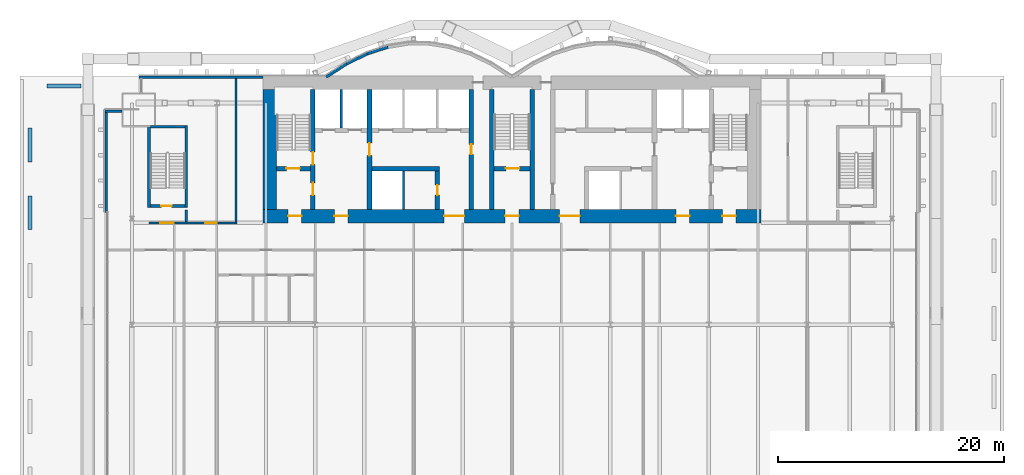
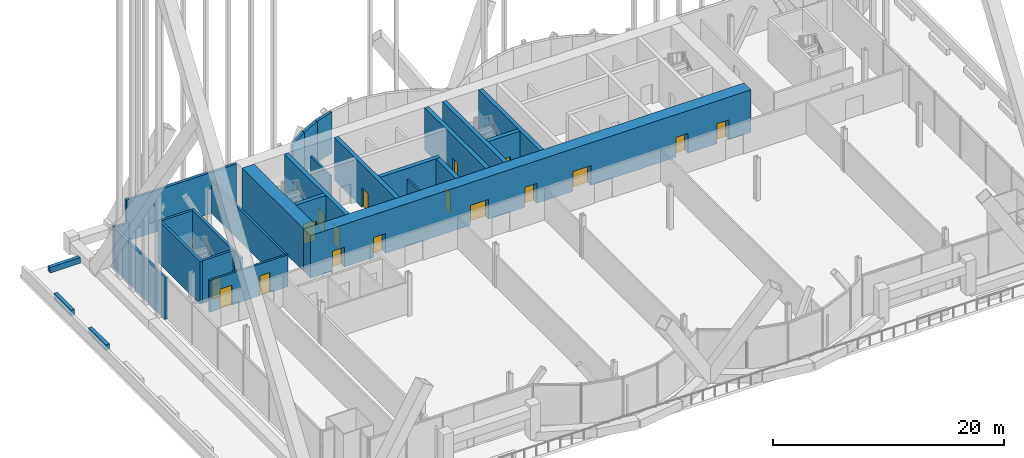
# One storey, part 24 of 29: 29 walls, 17 doors, 17 openings.
"""IFC4 building model written with IfcOpenShell, lengths in metres."""

from ifc_helpers import new_model, si_unit, direction, frame, frame_2d, origin, place, context, subcontext, project, spatial, rectangle, extrude, material, layer, layer_set, layer_usage, type_object, element, fill, save


model = new_model("IFC4")

# Units and contexts
model_context = context("Model", 3, precision=1e-05, world=origin(), true_north=direction((0.0, 1.0)))
body_context = subcontext(model_context, "Body", "Model", "MODEL_VIEW")
ifc_project = project(units=[si_unit("LENGTHUNIT", "METRE"), si_unit("AREAUNIT", "SQUARE_METRE"), si_unit("VOLUMEUNIT", "CUBIC_METRE"), si_unit("PLANEANGLEUNIT", "RADIAN"), si_unit("MASSUNIT", "GRAM", prefix="KILO")], contexts=[model_context])

# Site, building, storey
site_placement = place(None, origin())
site = spatial("IfcSite", under=ifc_project, at=site_placement, CompositionType="ELEMENT")
building_placement = place(site_placement, origin())
building = spatial("IfcBuilding", under=site, at=building_placement, Name="Bicima Exchange Tower", CompositionType="ELEMENT")
storey_placement = place(building_placement, frame((0.0, 0.0, 35.0)))
storey = spatial("IfcBuildingStorey", under=building, at=storey_placement, Name="L06", CompositionType="ELEMENT", Elevation=35.0)

# Walls
ifc_material_1 = material(Name="Gypsum board partition")
ifc_layer_1 = layer(ifc_material_1, 0.199951171875)
ifc_layer_set_1 = layer_set([ifc_layer_1], Name="Gypsum board partition")
wall_type_1 = type_object("IfcWallType", Name="Fire-rated gypsum partition 200 EI120", PredefinedType="PARTITIONING", material=ifc_layer_set_1)
for number, where, z_axis, x_axis, name in (
    (1, (-15.10009765625, -4.60009765625, 0.0), (0.0, 0.0, 1.0), (0.0, 1.0, 0.0), "partition wall 9"),
    (2, (-9.60009765625, -11.800048828125, 0.0), (0.0, 0.0, 1.0), (0.0, 1.0, 0.0), "partition wall 11"),
):
    element("IfcWall", number, at=place(storey_placement, frame(where, z_axis=z_axis, x_axis=x_axis)), inside=storey, type_object=wall_type_1, Name=name, PredefinedType="PARTITIONING", context=body_context, shape_type="SweptSolid", body=[
        extrude(rectangle(XDim=3.400146484375, YDim=0.199951171875, at=frame_2d((1.7001953125, 0.0))), origin(), (0.0, 0.0, 1.0), 3.359619140625),
    ])

# Wall, openings, doors
ifc_layer_2 = layer(ifc_material_1, 0.199951171875)
ifc_layer_set_2 = layer_set([ifc_layer_2], Name="Gypsum board partition")
wall_type_2 = type_object("IfcWallType", Name="Fire-rated gypsum partition 200 EI60", PredefinedType="PARTITIONING", material=ifc_layer_set_2)
wall_1_placement = place(storey_placement, frame((-32.10009765625, -13.0, 0.0), z_axis=(0.0, 0.0, 1.0), x_axis=(1.0, 0.0, 0.0)))
wall_1 = element("IfcWall", 3, at=wall_1_placement, inside=storey, type_object=wall_type_2, Name="partition wall 4", PredefinedType="PARTITIONING", context=body_context, shape_type="SweptSolid", body=[
    extrude(rectangle(XDim=7.800048828125, YDim=0.199951171875, at=frame_2d((3.89990234375, 0.0))), origin(), (0.0, 0.0, 1.0), 3.359619140625),
])
opening_1_placement = place(wall_1_placement, frame((1.0, 0.0, 0.0)))
opening_1 = element("IfcOpeningElement", 4, at=opening_1_placement, cuts=wall_1, Name="Opening L06-001", PredefinedType="OPENING", context=body_context, shape_type="SweptSolid", body=[
    extrude(rectangle(XDim=1.199951171875, YDim=2.10009765625, at=frame_2d((0.60009765625, 1.050048828125))), frame((0.0, 0.11181640625, 0.0), z_axis=(0.0, -1.0, 0.0), x_axis=(1.0, 0.0, 0.0)), (0.0, 0.0, 1.0), 0.223876953125),
])
opening_2_placement = place(wall_1_placement, frame((5.0, 0.0, 0.0)))
opening_2 = element("IfcOpeningElement", 5, at=opening_2_placement, cuts=wall_1, Name="Opening L06-005", PredefinedType="OPENING", context=body_context, shape_type="SweptSolid", body=[
    extrude(rectangle(XDim=1.0, YDim=2.10009765625, at=frame_2d((0.5, 1.050048828125))), frame((0.0, 0.11181640625, 0.0), z_axis=(0.0, -1.0, 0.0), x_axis=(1.0, 0.0, 0.0)), (0.0, 0.0, 1.0), 0.223876953125),
])
ifc_material_2 = material(Name="Steel fire door leaf", Category="steel")
door_type_1 = type_object("IfcDoorType", Name="Door 1000 swing FD30S", OperationType="SINGLE_SWING_LEFT", PredefinedType="DOOR", material=ifc_material_2)
door_1_placement = place(opening_2_placement, origin())
door_1 = element("IfcDoor", 6, at=door_1_placement, inside=storey, type_object=door_type_1, Name="Door", OperationType="SINGLE_SWING_LEFT", OverallHeight=2.10009765625, OverallWidth=1.0, PredefinedType="DOOR", context=body_context, shape_type="SweptSolid", body=[
    extrude(rectangle(XDim=1.0, YDim=2.10009765625, at=frame_2d((0.5, 1.050048828125))), frame((0.0, 0.02490234375, 0.0), z_axis=(0.0, -1.0, 0.0), x_axis=(1.0, 0.0, 0.0)), (0.0, 0.0, 1.0), 0.050048828125),
])
fill(opening_2, door_1)
door_type_2 = type_object("IfcDoorType", Name="Door 1200 swing FD30S", OperationType="SINGLE_SWING_LEFT", PredefinedType="DOOR", material=ifc_material_2)
door_2_placement = place(opening_1_placement, origin())
door_2 = element("IfcDoor", 7, at=door_2_placement, inside=storey, type_object=door_type_2, Name="Door", OperationType="SINGLE_SWING_LEFT", OverallHeight=2.10009765625, OverallWidth=1.199951171875, PredefinedType="DOOR", context=body_context, shape_type="SweptSolid", body=[
    extrude(rectangle(XDim=1.199951171875, YDim=2.10009765625, at=frame_2d((0.60009765625, 1.050048828125))), frame((0.0, 0.02490234375, 0.0), z_axis=(0.0, -1.0, 0.0), x_axis=(1.0, 0.0, 0.0)), (0.0, 0.0, 1.0), 0.050048828125),
])
fill(opening_1, door_2)

# Walls
wall_2_placement = place(storey_placement, frame((-24.39990234375, -12.89990234375, 0.0), z_axis=(0.0, 0.0, 1.0), x_axis=(0.0, 1.0, 0.0)))
element("IfcWall", 8, at=wall_2_placement, inside=storey, type_object=wall_type_2, Name="partition wall 16", PredefinedType="PARTITIONING", context=body_context, shape_type="SweptSolid", body=[
    extrude(rectangle(XDim=12.68994140625, YDim=0.199951171875, at=frame_2d((6.344970703125, 0.0))), origin(), (0.0, 0.0, 1.0), 3.359619140625),
])
ifc_material_3 = material(Name="Concrete C30/37", Category="concrete")
ifc_layer_3 = layer(ifc_material_3, 0.35)
ifc_layer_set_3 = layer_set([ifc_layer_3], Name="Concrete C30/37")
ifc_layer_usage_1 = layer_usage(ifc_layer_set_3, "AXIS2", "POSITIVE", -0.175)
wall_type_3 = type_object("IfcWallType", Name="PLANTER box 350 x 3000", PredefinedType="USERDEFINED", material=ifc_layer_set_3)
for number, where, z_axis, x_axis, name in (
    (9, (-42.60009765625, -13.60009765625, 0.0), (0.0, 0.0, 1.0), (0.0, 1.0, 0.0), "Podium roof planter 10"),
    (10, (-42.60009765625, -7.60009765625, 0.0), (0.0, 0.0, 1.0), (0.0, 1.0, 0.0), "Podium roof planter 11"),
    (11, (-41.10009765625, -0.89990234375, 0.0), (0.0, 0.0, 1.0), (1.0, 0.0, 0.0), "Podium roof planter 12"),
):
    element("IfcWall", number, at=place(storey_placement, frame(where, z_axis=z_axis, x_axis=x_axis)), inside=storey, type_object=wall_type_3, material=ifc_layer_usage_1, Name=name, ObjectType="PLANTER", PredefinedType="USERDEFINED", context=body_context, shape_type="SweptSolid", body=[
        extrude(rectangle(XDim=3.0, YDim=0.35009765625, at=frame_2d((1.5, 0.0))), origin(), (0.0, 0.0, 1.0), 0.60009765625),
    ])

# Wall, openings, doors
ifc_material_4 = material(Name="Concrete C60/75", Category="concrete")
ifc_layer_4 = layer(ifc_material_4, 1.199951171875)
ifc_layer_set_4 = layer_set([ifc_layer_4], Name="Concrete C60/75")
wall_type_4 = type_object("IfcWallType", Name="RC core wall 1200 C60/75", PredefinedType="SHEAR", material=ifc_layer_set_4)
wall_3_placement = place(storey_placement, frame((-22.0, -12.39990234375, 0.0), z_axis=(0.0, 0.0, 1.0), x_axis=(1.0, 0.0, 0.0)))
wall_3 = element("IfcWall", 12, at=wall_3_placement, inside=storey, type_object=wall_type_4, Name="Core wall south", PredefinedType="SHEAR", context=body_context, shape_type="SweptSolid", body=[
    extrude(rectangle(XDim=44.0, YDim=1.199951171875, at=frame_2d((22.0, 0.0))), origin(), (0.0, 0.0, 1.0), 4.5),
])
opening_3_placement = place(wall_3_placement, frame((2.199951171875, 0.0, 0.0)))
opening_3 = element("IfcOpeningElement", 13, at=opening_3_placement, cuts=wall_3, Name="Opening L06-C18", PredefinedType="OPENING", context=body_context, shape_type="SweptSolid", body=[
    extrude(rectangle(XDim=1.199951171875, YDim=2.10009765625, at=frame_2d((0.60009765625, 1.050048828125))), frame((0.0, 0.61181640625, 0.0), z_axis=(0.0, -1.0, 0.0), x_axis=(1.0, 0.0, 0.0)), (0.0, 0.0, 1.0), 1.223876953125),
])
opening_4_placement = place(wall_3_placement, frame((21.39990234375, 0.0, 0.0)))
opening_4 = element("IfcOpeningElement", 14, at=opening_4_placement, cuts=wall_3, Name="Opening L06-C19", PredefinedType="OPENING", context=body_context, shape_type="SweptSolid", body=[
    extrude(rectangle(XDim=1.199951171875, YDim=2.10009765625, at=frame_2d((0.60009765625, 1.050048828125))), frame((0.0, 0.61181640625, 0.0), z_axis=(0.0, -1.0, 0.0), x_axis=(1.0, 0.0, 0.0)), (0.0, 0.0, 1.0), 1.223876953125),
])
opening_5_placement = place(wall_3_placement, frame((40.60009765625, 0.0, 0.0)))
opening_5 = element("IfcOpeningElement", 15, at=opening_5_placement, cuts=wall_3, Name="Opening L06-C20", PredefinedType="OPENING", context=body_context, shape_type="SweptSolid", body=[
    extrude(rectangle(XDim=1.199951171875, YDim=2.10009765625, at=frame_2d((0.60009765625, 1.050048828125))), frame((0.0, 0.61181640625, 0.0), z_axis=(0.0, -1.0, 0.0), x_axis=(1.0, 0.0, 0.0)), (0.0, 0.0, 1.0), 1.223876953125),
])
opening_6_placement = place(wall_3_placement, frame((16.0, 0.0, 0.0)))
opening_6 = element("IfcOpeningElement", 16, at=opening_6_placement, cuts=wall_3, Name="Opening L06-C21", PredefinedType="OPENING", context=body_context, shape_type="SweptSolid", body=[
    extrude(rectangle(XDim=1.800048828125, YDim=2.10009765625, at=frame_2d((0.89990234375, 1.050048828125))), frame((0.0, 0.61181640625, 0.0), z_axis=(0.0, -1.0, 0.0), x_axis=(1.0, 0.0, 0.0)), (0.0, 0.0, 1.0), 1.223876953125),
])
opening_7_placement = place(wall_3_placement, frame((6.300048828125, 0.0, 0.0)))
opening_7 = element("IfcOpeningElement", 17, at=opening_7_placement, cuts=wall_3, Name="Opening L06-C22", PredefinedType="OPENING", context=body_context, shape_type="SweptSolid", body=[
    extrude(rectangle(XDim=1.199951171875, YDim=2.10009765625, at=frame_2d((0.60009765625, 1.050048828125))), frame((0.0, 0.61181640625, 0.0), z_axis=(0.0, -1.0, 0.0), x_axis=(1.0, 0.0, 0.0)), (0.0, 0.0, 1.0), 1.223876953125),
])
opening_8_placement = place(wall_3_placement, frame((26.199951171875, 0.0, 0.0)))
opening_8 = element("IfcOpeningElement", 18, at=opening_8_placement, cuts=wall_3, Name="Opening L06-C23", PredefinedType="OPENING", context=body_context, shape_type="SweptSolid", body=[
    extrude(rectangle(XDim=1.800048828125, YDim=2.10009765625, at=frame_2d((0.89990234375, 1.050048828125))), frame((0.0, 0.61181640625, 0.0), z_axis=(0.0, -1.0, 0.0), x_axis=(1.0, 0.0, 0.0)), (0.0, 0.0, 1.0), 1.223876953125),
])
opening_9_placement = place(wall_3_placement, frame((36.5, 0.0, 0.0)))
opening_9 = element("IfcOpeningElement", 19, at=opening_9_placement, cuts=wall_3, Name="Opening L06-C24", PredefinedType="OPENING", context=body_context, shape_type="SweptSolid", body=[
    extrude(rectangle(XDim=1.199951171875, YDim=2.10009765625, at=frame_2d((0.60009765625, 1.050048828125))), frame((0.0, 0.61181640625, 0.0), z_axis=(0.0, -1.0, 0.0), x_axis=(1.0, 0.0, 0.0)), (0.0, 0.0, 1.0), 1.223876953125),
])
door_type_3 = type_object("IfcDoorType", Name="Door 1200 swing FD60S", OperationType="SINGLE_SWING_LEFT", PredefinedType="DOOR", material=ifc_material_2)
door_3_placement = place(opening_3_placement, frame((1.199951171875, 0.0, 0.0), z_axis=(0.0, 0.0, 1.0), x_axis=(-1.0, 0.0, 0.0)))
door_3 = element("IfcDoor", 20, at=door_3_placement, inside=storey, type_object=door_type_3, Name="Core door", OperationType="SINGLE_SWING_RIGHT", OverallHeight=2.10009765625, OverallWidth=1.199951171875, PredefinedType="DOOR", context=body_context, shape_type="SweptSolid", body=[
    extrude(rectangle(XDim=1.199951171875, YDim=2.10009765625, at=frame_2d((0.60009765625, 1.050048828125))), frame((0.0, 0.02490234375, 0.0), z_axis=(0.0, -1.0, 0.0), x_axis=(1.0, 0.0, 0.0)), (0.0, 0.0, 1.0), 0.050048828125),
])
fill(opening_3, door_3)
door_4_placement = place(opening_4_placement, frame((1.199951171875, 0.0, 0.0), z_axis=(0.0, 0.0, 1.0), x_axis=(-1.0, 0.0, 0.0)))
door_4 = element("IfcDoor", 21, at=door_4_placement, inside=storey, type_object=door_type_3, Name="Core door", OperationType="SINGLE_SWING_RIGHT", OverallHeight=2.10009765625, OverallWidth=1.199951171875, PredefinedType="DOOR", context=body_context, shape_type="SweptSolid", body=[
    extrude(rectangle(XDim=1.199951171875, YDim=2.10009765625, at=frame_2d((0.60009765625, 1.050048828125))), frame((0.0, 0.02490234375, 0.0), z_axis=(0.0, -1.0, 0.0), x_axis=(1.0, 0.0, 0.0)), (0.0, 0.0, 1.0), 0.050048828125),
])
fill(opening_4, door_4)
door_5_placement = place(opening_5_placement, frame((1.199951171875, 0.0, 0.0), z_axis=(0.0, 0.0, 1.0), x_axis=(-1.0, 0.0, 0.0)))
door_5 = element("IfcDoor", 22, at=door_5_placement, inside=storey, type_object=door_type_3, Name="Core door", OperationType="SINGLE_SWING_RIGHT", OverallHeight=2.10009765625, OverallWidth=1.199951171875, PredefinedType="DOOR", context=body_context, shape_type="SweptSolid", body=[
    extrude(rectangle(XDim=1.199951171875, YDim=2.10009765625, at=frame_2d((0.60009765625, 1.050048828125))), frame((0.0, 0.02490234375, 0.0), z_axis=(0.0, -1.0, 0.0), x_axis=(1.0, 0.0, 0.0)), (0.0, 0.0, 1.0), 0.050048828125),
])
fill(opening_5, door_5)
door_6_placement = place(opening_7_placement, frame((1.199951171875, 0.0, 0.0), z_axis=(0.0, 0.0, 1.0), x_axis=(-1.0, 0.0, 0.0)))
door_6 = element("IfcDoor", 23, at=door_6_placement, inside=storey, type_object=door_type_3, Name="Core door", OperationType="SINGLE_SWING_RIGHT", OverallHeight=2.10009765625, OverallWidth=1.199951171875, PredefinedType="DOOR", context=body_context, shape_type="SweptSolid", body=[
    extrude(rectangle(XDim=1.199951171875, YDim=2.10009765625, at=frame_2d((0.60009765625, 1.050048828125))), frame((0.0, 0.02490234375, 0.0), z_axis=(0.0, -1.0, 0.0), x_axis=(1.0, 0.0, 0.0)), (0.0, 0.0, 1.0), 0.050048828125),
])
fill(opening_7, door_6)
door_7_placement = place(opening_9_placement, frame((1.199951171875, 0.0, 0.0), z_axis=(0.0, 0.0, 1.0), x_axis=(-1.0, 0.0, 0.0)))
door_7 = element("IfcDoor", 24, at=door_7_placement, inside=storey, type_object=door_type_3, Name="Core door", OperationType="SINGLE_SWING_RIGHT", OverallHeight=2.10009765625, OverallWidth=1.199951171875, PredefinedType="DOOR", context=body_context, shape_type="SweptSolid", body=[
    extrude(rectangle(XDim=1.199951171875, YDim=2.10009765625, at=frame_2d((0.60009765625, 1.050048828125))), frame((0.0, 0.02490234375, 0.0), z_axis=(0.0, -1.0, 0.0), x_axis=(1.0, 0.0, 0.0)), (0.0, 0.0, 1.0), 0.050048828125),
])
fill(opening_9, door_7)
door_type_4 = type_object("IfcDoorType", Name="Door 1800 double swing FD30S", OperationType="DOUBLE_DOOR_SINGLE_SWING", PredefinedType="DOOR", material=ifc_material_2)
door_8_placement = place(opening_6_placement, origin())
door_8 = element("IfcDoor", 25, at=door_8_placement, inside=storey, type_object=door_type_4, Name="Core door", OperationType="SINGLE_SWING_LEFT", OverallHeight=2.10009765625, OverallWidth=1.800048828125, PredefinedType="DOOR", context=body_context, shape_type="SweptSolid", body=[
    extrude(rectangle(XDim=1.800048828125, YDim=2.10009765625, at=frame_2d((0.89990234375, 1.050048828125))), frame((0.0, 0.02490234375, 0.0), z_axis=(0.0, -1.0, 0.0), x_axis=(1.0, 0.0, 0.0)), (0.0, 0.0, 1.0), 0.050048828125),
])
fill(opening_6, door_8)
door_9_placement = place(opening_8_placement, origin())
door_9 = element("IfcDoor", 26, at=door_9_placement, inside=storey, type_object=door_type_4, Name="Core door", OperationType="SINGLE_SWING_LEFT", OverallHeight=2.10009765625, OverallWidth=1.800048828125, PredefinedType="DOOR", context=body_context, shape_type="SweptSolid", body=[
    extrude(rectangle(XDim=1.800048828125, YDim=2.10009765625, at=frame_2d((0.89990234375, 1.050048828125))), frame((0.0, 0.02490234375, 0.0), z_axis=(0.0, -1.0, 0.0), x_axis=(1.0, 0.0, 0.0)), (0.0, 0.0, 1.0), 0.050048828125),
])
fill(opening_8, door_9)

# Walls
wall_4_placement = place(storey_placement, frame((-21.39990234375, -11.800048828125, 0.0), z_axis=(0.0, 0.0, 1.0), x_axis=(0.0, 1.0, 0.0)))
element("IfcWall", 27, at=wall_4_placement, inside=storey, type_object=wall_type_4, Name="Core wall west", PredefinedType="SHEAR", context=body_context, shape_type="SweptSolid", body=[
    extrude(rectangle(XDim=10.60009765625, YDim=1.199951171875, at=frame_2d((5.300048828125, 0.0))), origin(), (0.0, 0.0, 1.0), 4.5),
])
ifc_material_5 = material(Name="Concrete C50/60", Category="concrete")
ifc_layer_5 = layer(ifc_material_5, 0.25)
ifc_layer_set_5 = layer_set([ifc_layer_5], Name="Concrete C50/60")
wall_type_5 = type_object("IfcWallType", Name="RC core wall 250 C50/60", PredefinedType="SHEAR", material=ifc_layer_set_5)
wall_5_placement = place(storey_placement, frame((-28.800048828125, -12.89990234375, 0.0), z_axis=(0.0, 0.0, 1.0), x_axis=(0.0, 1.0, 0.0)))
element("IfcWall", 28, at=wall_5_placement, inside=storey, type_object=wall_type_5, Name="stair wall 14", PredefinedType="SHEAR", context=body_context, shape_type="SweptSolid", body=[
    extrude(rectangle(XDim=1.0498046875, YDim=0.25, at=frame_2d((0.52490234375, 0.0))), origin(), (0.0, 0.0, 1.0), 4.5),
])

# Wall, opening, door
ifc_layer_6 = layer(ifc_material_5, 0.39990234375)
ifc_layer_set_6 = layer_set([ifc_layer_6], Name="Concrete C50/60")
wall_type_6 = type_object("IfcWallType", Name="RC core wall 400 C50/60", PredefinedType="SHEAR", material=ifc_layer_set_6)
wall_6_placement = place(storey_placement, frame((-20.800048828125, -8.199951171875, 0.0), z_axis=(0.0, 0.0, 1.0), x_axis=(1.0, 0.0, 0.0)))
wall_6 = element("IfcWall", 29, at=wall_6_placement, inside=storey, type_object=wall_type_6, Name="stair wall 1", PredefinedType="SHEAR", context=body_context, shape_type="SweptSolid", body=[
    extrude(rectangle(XDim=3.0, YDim=0.39990234375, at=frame_2d((1.5, 0.0))), origin(), (0.0, 0.0, 1.0), 4.5),
])
opening_10_placement = place(wall_6_placement, frame((0.85009765625, 0.0, 0.0)))
opening_10 = element("IfcOpeningElement", 30, at=opening_10_placement, cuts=wall_6, Name="Opening L06-C01", PredefinedType="OPENING", context=body_context, shape_type="SweptSolid", body=[
    extrude(rectangle(XDim=1.199951171875, YDim=2.10009765625, at=frame_2d((0.60009765625, 1.050048828125))), frame((0.0, 0.2119140625, 0.0), z_axis=(0.0, -1.0, 0.0), x_axis=(1.0, 0.0, 0.0)), (0.0, 0.0, 1.0), 0.423828125),
])
door_10_placement = place(opening_10_placement, origin())
door_10 = element("IfcDoor", 31, at=door_10_placement, inside=storey, type_object=door_type_3, Name="Core door", OperationType="SINGLE_SWING_LEFT", OverallHeight=2.10009765625, OverallWidth=1.199951171875, PredefinedType="DOOR", context=body_context, shape_type="SweptSolid", body=[
    extrude(rectangle(XDim=1.199951171875, YDim=2.10009765625, at=frame_2d((0.60009765625, 1.050048828125))), frame((0.0, 0.02490234375, 0.0), z_axis=(0.0, -1.0, 0.0), x_axis=(1.0, 0.0, 0.0)), (0.0, 0.0, 1.0), 0.050048828125),
])
fill(opening_10, door_10)

wall_7_placement = place(storey_placement, frame((-1.60009765625, -8.199951171875, 0.0), z_axis=(0.0, 0.0, 1.0), x_axis=(1.0, 0.0, 0.0)))
wall_7 = element("IfcWall", 32, at=wall_7_placement, inside=storey, type_object=wall_type_6, Name="stair wall 3", PredefinedType="SHEAR", context=body_context, shape_type="SweptSolid", body=[
    extrude(rectangle(XDim=3.2001953125, YDim=0.39990234375, at=frame_2d((1.60009765625, 0.0))), origin(), (0.0, 0.0, 1.0), 4.5),
])
opening_11_placement = place(wall_7_placement, frame((1.050048828125, 0.0, 0.0)))
opening_11 = element("IfcOpeningElement", 33, at=opening_11_placement, cuts=wall_7, Name="Opening L06-C03", PredefinedType="OPENING", context=body_context, shape_type="SweptSolid", body=[
    extrude(rectangle(XDim=1.199951171875, YDim=2.10009765625, at=frame_2d((0.60009765625, 1.050048828125))), frame((0.0, 0.2119140625, 0.0), z_axis=(0.0, -1.0, 0.0), x_axis=(1.0, 0.0, 0.0)), (0.0, 0.0, 1.0), 0.423828125),
])
door_11_placement = place(opening_11_placement, origin())
door_11 = element("IfcDoor", 34, at=door_11_placement, inside=storey, type_object=door_type_3, Name="Core door", OperationType="SINGLE_SWING_LEFT", OverallHeight=2.10009765625, OverallWidth=1.199951171875, PredefinedType="DOOR", context=body_context, shape_type="SweptSolid", body=[
    extrude(rectangle(XDim=1.199951171875, YDim=2.10009765625, at=frame_2d((0.60009765625, 1.050048828125))), frame((0.0, 0.02490234375, 0.0), z_axis=(0.0, -1.0, 0.0), x_axis=(1.0, 0.0, 0.0)), (0.0, 0.0, 1.0), 0.050048828125),
])
fill(opening_11, door_11)

# Wall, openings, doors
wall_8_placement = place(storey_placement, frame((-17.60009765625, -11.800048828125, 0.0), z_axis=(0.0, 0.0, 1.0), x_axis=(0.0, 1.0, 0.0)))
wall_8 = element("IfcWall", 35, at=wall_8_placement, inside=storey, type_object=wall_type_6, Name="stair wall 8", PredefinedType="SHEAR", context=body_context, shape_type="SweptSolid", body=[
    extrude(rectangle(XDim=10.60009765625, YDim=0.39990234375, at=frame_2d((5.300048828125, 0.0))), origin(), (0.0, 0.0, 1.0), 4.5),
])
opening_12_placement = place(wall_8_placement, frame((1.25, 0.0, 0.0)))
opening_12 = element("IfcOpeningElement", 36, at=opening_12_placement, cuts=wall_8, Name="Opening L06-C02", PredefinedType="OPENING", context=body_context, shape_type="SweptSolid", body=[
    extrude(rectangle(XDim=1.10009765625, YDim=2.10009765625, at=frame_2d((0.550048828125, 1.050048828125))), frame((0.0, 0.2119140625, 0.0), z_axis=(0.0, -1.0, 0.0), x_axis=(1.0, 0.0, 0.0)), (0.0, 0.0, 1.0), 0.423828125),
])
opening_13_placement = place(wall_8_placement, frame((3.949951171875, 0.0, 0.0)))
opening_13 = element("IfcOpeningElement", 37, at=opening_13_placement, cuts=wall_8, Name="Opening L06-C06", PredefinedType="OPENING", context=body_context, shape_type="SweptSolid", body=[
    extrude(rectangle(XDim=1.10009765625, YDim=2.10009765625, at=frame_2d((0.550048828125, 1.050048828125))), frame((0.0, 0.2119140625, 0.0), z_axis=(0.0, -1.0, 0.0), x_axis=(1.0, 0.0, 0.0)), (0.0, 0.0, 1.0), 0.423828125),
])
door_type_5 = type_object("IfcDoorType", Name="Door 1100 swing FD60S", OperationType="SINGLE_SWING_LEFT", PredefinedType="DOOR", material=ifc_material_2)
door_12_placement = place(opening_12_placement, frame((1.10009765625, 0.0, 0.0), z_axis=(0.0, 0.0, 1.0), x_axis=(-1.0, 0.0, 0.0)))
door_12 = element("IfcDoor", 38, at=door_12_placement, inside=storey, type_object=door_type_5, Name="Core door", OperationType="SINGLE_SWING_LEFT", OverallHeight=2.10009765625, OverallWidth=1.10009765625, PredefinedType="DOOR", context=body_context, shape_type="SweptSolid", body=[
    extrude(rectangle(XDim=1.10009765625, YDim=2.10009765625, at=frame_2d((0.550048828125, 1.050048828125))), frame((0.0, 0.02490234375, 0.0), z_axis=(0.0, -1.0, 0.0), x_axis=(1.0, 0.0, 0.0)), (0.0, 0.0, 1.0), 0.050048828125),
])
fill(opening_12, door_12)
door_13_placement = place(opening_13_placement, frame((1.10009765625, 0.0, 0.0), z_axis=(0.0, 0.0, 1.0), x_axis=(-1.0, 0.0, 0.0)))
door_13 = element("IfcDoor", 39, at=door_13_placement, inside=storey, type_object=door_type_5, Name="Core door", OperationType="SINGLE_SWING_LEFT", OverallHeight=2.10009765625, OverallWidth=1.10009765625, PredefinedType="DOOR", context=body_context, shape_type="SweptSolid", body=[
    extrude(rectangle(XDim=1.10009765625, YDim=2.10009765625, at=frame_2d((0.550048828125, 1.050048828125))), frame((0.0, 0.02490234375, 0.0), z_axis=(0.0, -1.0, 0.0), x_axis=(1.0, 0.0, 0.0)), (0.0, 0.0, 1.0), 0.050048828125),
])
fill(opening_13, door_13)

# Walls
for number, where, z_axis, x_axis, name in (
    (40, (-1.800048828125, -11.800048828125, 0.0), (0.0, 0.0, 1.0), (0.0, 1.0, 0.0), "stair wall 16"),
    (41, (1.800048828125, -11.800048828125, 0.0), (0.0, 0.0, 1.0), (0.0, 1.0, 0.0), "stair wall 17"),
):
    element("IfcWall", number, at=place(storey_placement, frame(where, z_axis=z_axis, x_axis=x_axis)), inside=storey, type_object=wall_type_6, Name=name, PredefinedType="SHEAR", context=body_context, shape_type="SweptSolid", body=[
        extrude(rectangle(XDim=10.60009765625, YDim=0.39990234375, at=frame_2d((5.300048828125, 0.0))), origin(), (0.0, 0.0, 1.0), 4.5),
    ])
ifc_layer_7 = layer(ifc_material_4, 0.39990234375)
ifc_layer_set_7 = layer_set([ifc_layer_7], Name="Concrete C60/75")
wall_type_7 = type_object("IfcWallType", Name="RC core wall 400 C60/75", PredefinedType="SHEAR", material=ifc_layer_set_7)
wall_9_placement = place(storey_placement, frame((-12.39990234375, -8.199951171875, 0.0), z_axis=(0.0, 0.0, 1.0), x_axis=(1.0, 0.0, 0.0)))
element("IfcWall", 42, at=wall_9_placement, inside=storey, type_object=wall_type_7, Name="shear wall 2", PredefinedType="SHEAR", context=body_context, shape_type="SweptSolid", body=[
    extrude(rectangle(XDim=6.0, YDim=0.39990234375, at=frame_2d((3.0, 0.0))), origin(), (0.0, 0.0, 1.0), 4.5),
])

# Wall, opening, door
wall_10_placement = place(storey_placement, frame((-12.60009765625, -11.800048828125, 0.0), z_axis=(0.0, 0.0, 1.0), x_axis=(0.0, 1.0, 0.0)))
wall_10 = element("IfcWall", 43, at=wall_10_placement, inside=storey, type_object=wall_type_7, Name="shear wall 10", PredefinedType="SHEAR", context=body_context, shape_type="SweptSolid", body=[
    extrude(rectangle(XDim=10.60009765625, YDim=0.39990234375, at=frame_2d((5.300048828125, 0.0))), origin(), (0.0, 0.0, 1.0), 4.5),
])
opening_14_placement = place(wall_10_placement, frame((4.75, 0.0, 0.0)))
opening_14 = element("IfcOpeningElement", 44, at=opening_14_placement, cuts=wall_10, Name="Opening L06-C07", PredefinedType="OPENING", context=body_context, shape_type="SweptSolid", body=[
    extrude(rectangle(XDim=1.10009765625, YDim=2.10009765625, at=frame_2d((0.550048828125, 1.050048828125))), frame((0.0, 0.2119140625, 0.0), z_axis=(0.0, -1.0, 0.0), x_axis=(1.0, 0.0, 0.0)), (0.0, 0.0, 1.0), 0.423828125),
])
door_14_placement = place(opening_14_placement, origin())
door_14 = element("IfcDoor", 45, at=door_14_placement, inside=storey, type_object=door_type_5, Name="Core door", OperationType="SINGLE_SWING_LEFT", OverallHeight=2.10009765625, OverallWidth=1.10009765625, PredefinedType="DOOR", context=body_context, shape_type="SweptSolid", body=[
    extrude(rectangle(XDim=1.10009765625, YDim=2.10009765625, at=frame_2d((0.550048828125, 1.050048828125))), frame((0.0, 0.02490234375, 0.0), z_axis=(0.0, -1.0, 0.0), x_axis=(1.0, 0.0, 0.0)), (0.0, 0.0, 1.0), 0.050048828125),
])
fill(opening_14, door_14)

wall_11_placement = place(storey_placement, frame((-6.60009765625, -11.800048828125, 0.0), z_axis=(0.0, 0.0, 1.0), x_axis=(0.0, 1.0, 0.0)))
wall_11 = element("IfcWall", 46, at=wall_11_placement, inside=storey, type_object=wall_type_7, Name="shear wall 13", PredefinedType="SHEAR", context=body_context, shape_type="SweptSolid", body=[
    extrude(rectangle(XDim=3.400146484375, YDim=0.39990234375, at=frame_2d((1.7001953125, 0.0))), origin(), (0.0, 0.0, 1.0), 4.5),
])
opening_15_placement = place(wall_11_placement, frame((1.25, 0.0, 0.0)))
opening_15 = element("IfcOpeningElement", 47, at=opening_15_placement, cuts=wall_11, Name="Opening L06-C14", PredefinedType="OPENING", context=body_context, shape_type="SweptSolid", body=[
    extrude(rectangle(XDim=0.89990234375, YDim=2.10009765625, at=frame_2d((0.449951171875, 1.050048828125))), frame((0.0, 0.2119140625, 0.0), z_axis=(0.0, -1.0, 0.0), x_axis=(1.0, 0.0, 0.0)), (0.0, 0.0, 1.0), 0.423828125),
])
door_type_6 = type_object("IfcDoorType", Name="Door 900 swing FD30S", OperationType="SINGLE_SWING_LEFT", PredefinedType="DOOR", material=ifc_material_2)
door_15_placement = place(opening_15_placement, origin())
door_15 = element("IfcDoor", 48, at=door_15_placement, inside=storey, type_object=door_type_6, Name="Core door", OperationType="SINGLE_SWING_RIGHT", OverallHeight=2.10009765625, OverallWidth=0.89990234375, PredefinedType="DOOR", context=body_context, shape_type="SweptSolid", body=[
    extrude(rectangle(XDim=0.89990234375, YDim=2.10009765625, at=frame_2d((0.449951171875, 1.050048828125))), frame((0.0, 0.02490234375, 0.0), z_axis=(0.0, -1.0, 0.0), x_axis=(1.0, 0.0, 0.0)), (0.0, 0.0, 1.0), 0.050048828125),
])
fill(opening_15, door_15)

wall_12_placement = place(storey_placement, frame((-3.60009765625, -11.800048828125, 0.0), z_axis=(0.0, 0.0, 1.0), x_axis=(0.0, 1.0, 0.0)))
wall_12 = element("IfcWall", 49, at=wall_12_placement, inside=storey, type_object=wall_type_7, Name="shear wall 15", PredefinedType="SHEAR", context=body_context, shape_type="SweptSolid", body=[
    extrude(rectangle(XDim=10.60009765625, YDim=0.39990234375, at=frame_2d((5.300048828125, 0.0))), origin(), (0.0, 0.0, 1.0), 4.5),
])
opening_16_placement = place(wall_12_placement, frame((4.85009765625, 0.0, 0.0)))
opening_16 = element("IfcOpeningElement", 50, at=opening_16_placement, cuts=wall_12, Name="Opening L06-C10", PredefinedType="OPENING", context=body_context, shape_type="SweptSolid", body=[
    extrude(rectangle(XDim=0.89990234375, YDim=2.10009765625, at=frame_2d((0.449951171875, 1.050048828125))), frame((0.0, 0.2119140625, 0.0), z_axis=(0.0, -1.0, 0.0), x_axis=(1.0, 0.0, 0.0)), (0.0, 0.0, 1.0), 0.423828125),
])
door_16_placement = place(opening_16_placement, frame((0.89990234375, 0.0, 0.0), z_axis=(0.0, 0.0, 1.0), x_axis=(-1.0, 0.0, 0.0)))
door_16 = element("IfcDoor", 51, at=door_16_placement, inside=storey, type_object=door_type_6, Name="Core door", OperationType="SINGLE_SWING_LEFT", OverallHeight=2.10009765625, OverallWidth=0.89990234375, PredefinedType="DOOR", context=body_context, shape_type="SweptSolid", body=[
    extrude(rectangle(XDim=0.89990234375, YDim=2.10009765625, at=frame_2d((0.449951171875, 1.050048828125))), frame((0.0, 0.02490234375, 0.0), z_axis=(0.0, -1.0, 0.0), x_axis=(1.0, 0.0, 0.0)), (0.0, 0.0, 1.0), 0.050048828125),
])
fill(opening_16, door_16)

# Walls
ifc_layer_8 = layer(ifc_material_5, 0.25)
ifc_layer_set_8 = layer_set([ifc_layer_8], Name="Concrete C50/60")
wall_type_8 = type_object("IfcWallType", Name="RC stair enclosure wall 250 C50/60", PredefinedType="SHEAR", material=ifc_layer_set_8)
for number, where, z_axis, x_axis, name in (
    (52, (-32.10009765625, -11.625, 0.0), (0.0, 0.0, 1.0), (0.0, 1.0, 0.0), "West end exit stair wall W"),
    (53, (-28.800048828125, -11.625, 0.0), (0.0, 0.0, 1.0), (0.0, 1.0, 0.0), "West end exit stair wall E"),
):
    element("IfcWall", number, at=place(storey_placement, frame(where, z_axis=z_axis, x_axis=x_axis)), inside=storey, type_object=wall_type_8, Name=name, PredefinedType="SHEAR", context=body_context, shape_type="SweptSolid", body=[
        extrude(rectangle(XDim=7.25, YDim=0.25, at=frame_2d((3.625, 0.0))), origin(), (0.0, 0.0, 1.0), 4.5),
    ])

# Wall, opening, door
wall_13_placement = place(storey_placement, frame((-31.97509765625, -11.5, 0.0), z_axis=(0.0, 0.0, 1.0), x_axis=(1.0, 0.0, 0.0)))
wall_13 = element("IfcWall", 54, at=wall_13_placement, inside=storey, type_object=wall_type_8, Name="West end exit stair wall S", PredefinedType="SHEAR", context=body_context, shape_type="SweptSolid", body=[
    extrude(rectangle(XDim=3.050048828125, YDim=0.25, at=frame_2d((1.52490234375, 0.0))), origin(), (0.0, 0.0, 1.0), 4.5),
])
opening_17_placement = place(wall_13_placement, frame((0.97509765625, 0.0, 0.0)))
opening_17 = element("IfcOpeningElement", 55, at=opening_17_placement, cuts=wall_13, Name="Opening L06-002", PredefinedType="OPENING", context=body_context, shape_type="SweptSolid", body=[
    extrude(rectangle(XDim=0.89990234375, YDim=2.10009765625, at=frame_2d((0.449951171875, 1.050048828125))), frame((0.0, 0.136962890625, 0.0), z_axis=(0.0, -1.0, 0.0), x_axis=(1.0, 0.0, 0.0)), (0.0, 0.0, 1.0), 0.27392578125),
])
door_type_7 = type_object("IfcDoorType", Name="Door 900 swing FD60S", OperationType="SINGLE_SWING_LEFT", PredefinedType="DOOR", material=ifc_material_2)
door_17_placement = place(opening_17_placement, origin())
door_17 = element("IfcDoor", 56, at=door_17_placement, inside=storey, type_object=door_type_7, Name="Door", OperationType="SINGLE_SWING_LEFT", OverallHeight=2.10009765625, OverallWidth=0.89990234375, PredefinedType="DOOR", context=body_context, shape_type="SweptSolid", body=[
    extrude(rectangle(XDim=0.89990234375, YDim=2.10009765625, at=frame_2d((0.449951171875, 1.050048828125))), frame((0.0, 0.02490234375, 0.0), z_axis=(0.0, -1.0, 0.0), x_axis=(1.0, 0.0, 0.0)), (0.0, 0.0, 1.0), 0.050048828125),
])
fill(opening_17, door_17)

# Walls
wall_14_placement = place(storey_placement, frame((-31.97509765625, -4.5, 0.0), z_axis=(0.0, 0.0, 1.0), x_axis=(1.0, 0.0, 0.0)))
element("IfcWall", 57, at=wall_14_placement, inside=storey, type_object=wall_type_8, Name="West end exit stair wall N", PredefinedType="SHEAR", context=body_context, shape_type="SweptSolid", body=[
    extrude(rectangle(XDim=3.050048828125, YDim=0.25, at=frame_2d((1.52490234375, 0.0))), origin(), (0.0, 0.0, 1.0), 4.5),
])
ifc_material_6 = material(Name="Concrete C40/50", Category="concrete")
ifc_layer_9 = layer(ifc_material_6, 0.25)
ifc_layer_set_9 = layer_set([ifc_layer_9], Name="Concrete C40/50")
ifc_layer_usage_2 = layer_usage(ifc_layer_set_9, "AXIS2", "POSITIVE", -0.125)
wall_type_9 = type_object("IfcWallType", Name="Rear backup wall 250", PredefinedType="STANDARD", material=ifc_layer_set_9)
wall_15_placement = place(storey_placement, frame((-10.961669921875, 2.5478515625, 0.0), z_axis=(0.0, 0.0, 1.0), x_axis=(-0.951495806175, -0.307661714928, 0.0)))
element("IfcWall", 58, at=wall_15_placement, inside=storey, type_object=wall_type_9, material=ifc_layer_usage_2, Name="Rear backup wall L06 17", PredefinedType="STANDARD", context=body_context, shape_type="SweptSolid", body=[
    extrude(rectangle(XDim=1.9267578125, YDim=0.25, at=frame_2d((0.96337890625, 0.0))), origin(), (0.0, 0.0, 1.0), 4.35009765625),
])
wall_16_placement = place(storey_placement, frame((-12.77880859375, 1.961669921875, 0.0), z_axis=(0.0, 0.0, 1.0), x_axis=(-0.89982408427, -0.436252928206, 0.0)))
element("IfcWall", 59, at=wall_16_placement, inside=storey, type_object=wall_type_9, material=ifc_layer_usage_2, Name="Rear backup wall L06 18", PredefinedType="STANDARD", context=body_context, shape_type="SweptSolid", body=[
    extrude(rectangle(XDim=2.03759765625, YDim=0.25, at=frame_2d((1.018798828125, 0.0))), origin(), (0.0, 0.0, 1.0), 4.35009765625),
])
wall_17_placement = place(storey_placement, frame((-14.598876953125, 1.080078125, 0.0), z_axis=(0.0, 0.0, 1.0), x_axis=(-0.83981312244, -0.542875602121, 0.0)))
element("IfcWall", 60, at=wall_17_placement, inside=storey, type_object=wall_type_9, material=ifc_layer_usage_2, Name="Rear backup wall L06 19", PredefinedType="STANDARD", context=body_context, shape_type="SweptSolid", body=[
    extrude(rectangle(XDim=2.182861328125, YDim=0.25, at=frame_2d((1.09130859375, 0.0))), origin(), (0.0, 0.0, 1.0), 4.35009765625),
])
wall_18_placement = place(storey_placement, frame((-22.0, -0.125, 0.0), z_axis=(0.0, 0.0, 1.0), x_axis=(-1.0, 0.0, 0.0)))
element("IfcWall", 61, at=wall_18_placement, inside=storey, type_object=wall_type_9, material=ifc_layer_usage_2, Name="Rear backup wall L06 20", PredefinedType="STANDARD", context=body_context, shape_type="SweptSolid", body=[
    extrude(rectangle(XDim=11.0, YDim=0.25, at=frame_2d((5.5, 0.0))), origin(), (0.0, 0.0, 1.0), 4.35009765625),
])
wall_19_placement = place(storey_placement, frame((-34.5, -3.125, 0.0), z_axis=(0.0, 0.0, 1.0), x_axis=(-1.0, 0.0, 0.0)))
element("IfcWall", 62, at=wall_19_placement, inside=storey, type_object=wall_type_9, material=ifc_layer_usage_2, Name="Rear backup wall L06 22", PredefinedType="STANDARD", context=body_context, shape_type="SweptSolid", body=[
    extrude(rectangle(XDim=1.5, YDim=0.25, at=frame_2d((0.75, 0.0))), origin(), (0.0, 0.0, 1.0), 4.35009765625),
])
wall_20_placement = place(storey_placement, frame((-35.875, -3.0, 0.0), z_axis=(0.0, 0.0, 1.0), x_axis=(0.0, -1.0, 0.0)))
element("IfcWall", 63, at=wall_20_placement, inside=storey, type_object=wall_type_9, material=ifc_layer_usage_2, Name="Rear backup wall L06 23", PredefinedType="STANDARD", context=body_context, shape_type="SweptSolid", body=[
    extrude(rectangle(XDim=9.090087890625, YDim=0.25, at=frame_2d((4.544921875, 0.0))), origin(), (0.0, 0.0, 1.0), 4.35009765625),
])

save(model, "model.ifc")
